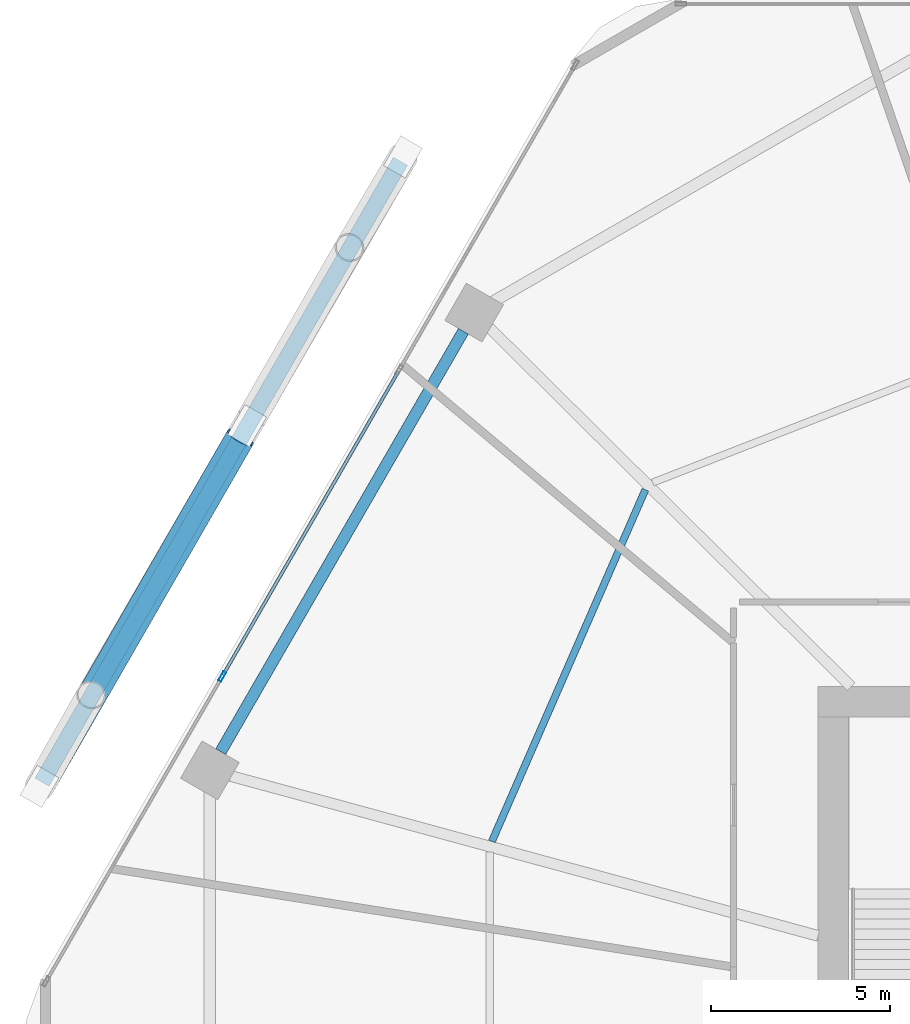
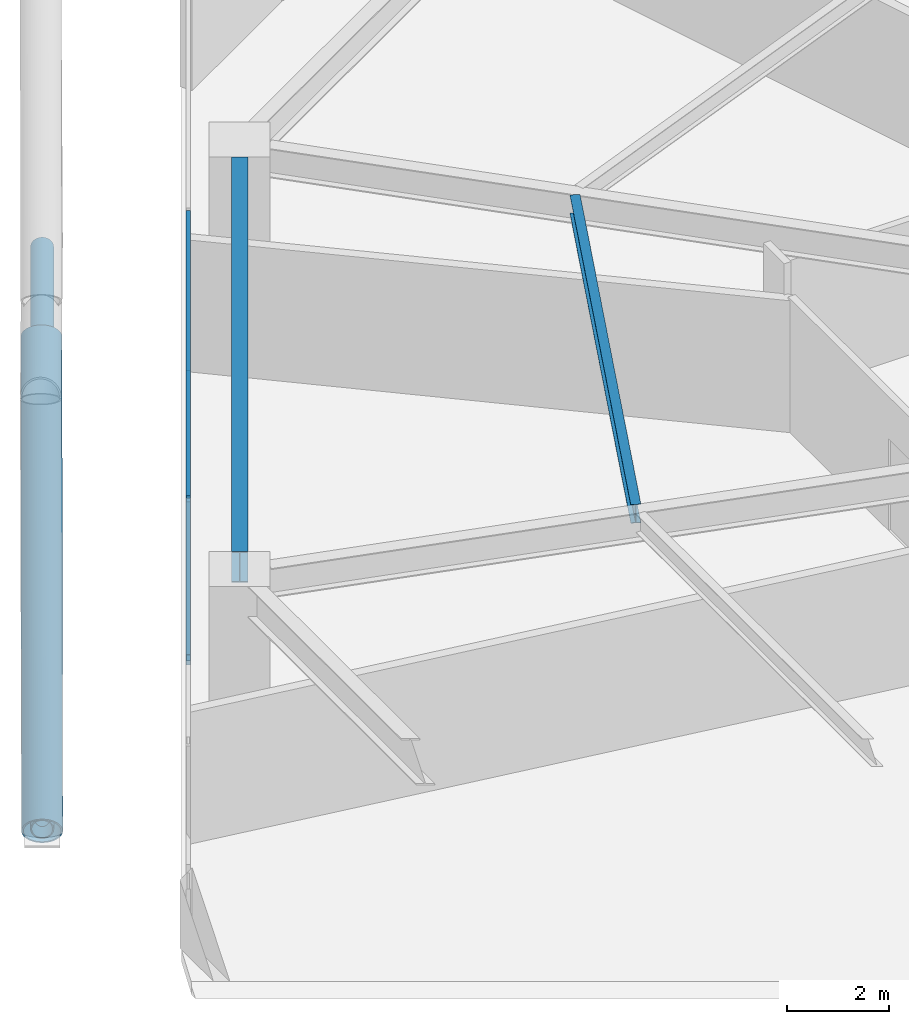
# One storey, part 14 of 29: 5 members, 2 beams, 1 element without a shape of its own.
"""IFC4 building model written with IfcOpenShell, lengths in metres."""

from ifc_helpers import new_model, si_unit, direction, frame, origin, origin_2d, place, context, subcontext, project, spatial, hollow_rectangle, hollow_circle, i_section, extrude, material, material_profile, profile_set, type_object, element, aggregate, save


model = new_model("IFC4")

# Units and contexts
model_context = context("Model", 3, precision=1e-05, world=origin(), true_north=direction((0.0, 1.0)))
body_context = subcontext(model_context, "Body", "Model", "MODEL_VIEW")
ifc_project = project(units=[si_unit("LENGTHUNIT", "METRE"), si_unit("AREAUNIT", "SQUARE_METRE"), si_unit("VOLUMEUNIT", "CUBIC_METRE"), si_unit("PLANEANGLEUNIT", "RADIAN"), si_unit("MASSUNIT", "GRAM", prefix="KILO")], contexts=[model_context])

# Site, building, storey
site_placement = place(None, origin())
site = spatial("IfcSite", under=ifc_project, at=site_placement, CompositionType="ELEMENT")
building_placement = place(site_placement, origin())
building = spatial("IfcBuilding", under=site, at=building_placement, Name="Zuhravey Tower", CompositionType="ELEMENT")
storey_placement = place(building_placement, frame((0.0, 0.0, 41.39990234375)))
storey = spatial("IfcBuildingStorey", under=building, at=storey_placement, Name="L10", CompositionType="ELEMENT", Elevation=41.39990234375)

# Curtain wall, members
ifc_material_1 = material(Name="Thermally broken anodised aluminium", Category="aluminium")
curtain_wall_type = type_object("IfcCurtainWallType", Name="School Low-E Unitised Curtain Wall CW1", PredefinedType="NOTDEFINED", material=ifc_material_1)
curtain_wall_placement = place(storey_placement, origin())
curtain_wall = element("IfcCurtainWall", 1, at=curtain_wall_placement, inside=storey, type_object=curtain_wall_type, Name="L10 CW1 CW-L10-F3-1", PredefinedType="NOTDEFINED")
ifc_material_2 = material(Name="Anodised aluminium", Category="aluminium")
ifc_material_profile_1 = material_profile(ifc_material_2, hollow_rectangle(XDim=0.090087890625, YDim=0.284912109375, WallThickness=0.0048828125, at=origin_2d()), Name="ALU-RHS-90x285x5")
ifc_profile_set_1 = profile_set([ifc_material_profile_1], Name="Anodised aluminium")
member_type_1 = type_object("IfcMemberType", Name="Curtain-Wall Mullion 90x180", PredefinedType="MULLION", material=ifc_profile_set_1)
member_1_placement = place(storey_placement, frame((8.45458984375, 42.20703125, 0.0), z_axis=(0.0, 0.0, 1.0), x_axis=(-0.86602552265, 0.499999794119, 0.0)))
member_1 = element("IfcMember", 2, at=member_1_placement, type_object=member_type_1, Name="CW1 mullion 2", PredefinedType="MULLION", context=body_context, shape_type="SweptSolid", body=[
    extrude(hollow_rectangle(XDim=0.090087890625, YDim=0.284912109375, WallThickness=0.0048828125, at=origin_2d()), origin(), (0.0, 0.0, 1.0), 3.920166015625),
])
ifc_material_profile_2 = material_profile(ifc_material_2, hollow_rectangle(XDim=0.090087890625, YDim=0.14990234375, WallThickness=0.0048828125, at=origin_2d()), Name="ALU-RHS-90x150x5")
ifc_profile_set_2 = profile_set([ifc_material_profile_2], Name="Anodised aluminium")
member_type_2 = type_object("IfcMemberType", Name="Curtain-Wall Transom 90x150", PredefinedType="USERDEFINED", material=ifc_profile_set_2)
member_2_placement = place(storey_placement, frame((8.47705078125, 42.245849609375, 0.045166015625), z_axis=(0.499990498062, 0.866030889661, 0.0), x_axis=(-0.866030889661, 0.499990498062, 0.0)))
member_2 = element("IfcMember", 3, at=member_2_placement, type_object=member_type_2, Name="CW1 transom 2.1", ObjectType="TRANSOM", PredefinedType="USERDEFINED", context=body_context, shape_type="SweptSolid", body=[
    extrude(hollow_rectangle(XDim=0.090087890625, YDim=0.14990234375, WallThickness=0.0048828125, at=origin_2d()), origin(), (0.0, 0.0, 1.0), 9.776611328125),
])
member_3_placement = place(storey_placement, frame((8.47705078125, 42.245849609375, 3.875), z_axis=(0.499990498062, 0.866030889661, 0.0), x_axis=(-0.866030889661, 0.499990498062, 0.0)))
member_3 = element("IfcMember", 4, at=member_3_placement, type_object=member_type_2, Name="CW1 transom 2.2", ObjectType="TRANSOM", PredefinedType="USERDEFINED", context=body_context, shape_type="SweptSolid", body=[
    extrude(hollow_rectangle(XDim=0.090087890625, YDim=0.14990234375, WallThickness=0.0048828125, at=origin_2d()), origin(), (0.0, 0.0, 1.0), 9.776611328125),
])
aggregate(curtain_wall, [member_1, member_2, member_3])

# Members
ifc_material_3 = material(Name="Steel SM355", Category="steel")
ifc_material_profile_3 = material_profile(ifc_material_3, hollow_circle(Radius=0.228515625, WallThickness=0.02197265625, at=origin_2d()), Name="CHS-457.2x22")
ifc_profile_set_3 = profile_set([ifc_material_profile_3], Name="Steel SM355")
member_type_3 = type_object("IfcMemberType", Name="Exoskeleton Ring Tie CHS457x22", PredefinedType="CHORD", material=ifc_profile_set_3)
member_4_placement = place(storey_placement, frame((13.425537109375, 56.57666015625, -0.493896484375), z_axis=(-0.500001503855, -0.866024535532, 0.0), x_axis=(0.866024535532, -0.500001503855, 0.0)))
element("IfcMember", 5, at=member_4_placement, inside=storey, type_object=member_type_3, Name="L10 Exoskeleton Face 3 Tie EXR1", PredefinedType="CHORD", context=body_context, shape_type="SweptSolid", body=[
    extrude(hollow_circle(Radius=0.228515625, WallThickness=0.02197265625, at=origin_2d()), origin(), (0.0, 0.0, 1.0), 19.99365234375),
])
ifc_material_4 = material(Name="Steel SM460", Category="steel")
ifc_material_profile_4 = material_profile(ifc_material_4, hollow_circle(Radius=0.406494140625, WallThickness=0.035888671875, at=origin_2d()), Name="CHS-812.8x36")
ifc_profile_set_4 = profile_set([ifc_material_profile_4], Name="Steel SM460")
member_type_4 = type_object("IfcMemberType", Name="Exoskeleton Zone 1 Diagrid CHS813x36", PredefinedType="BRACE", material=ifc_profile_set_4)
member_5_placement = place(storey_placement, frame((3.38232421875, 39.181640625, -0.476806640625), z_axis=(0.469122167686, 0.81496177114, 0.340237715965), x_axis=(-0.866667631609, 0.49888597527, 0.0)))
element("IfcMember", 6, at=member_5_placement, inside=storey, type_object=member_type_4, Name="L10 Face 3 Split Diagrid Brace 3A", PredefinedType="BRACE", context=body_context, shape_type="SweptSolid", body=[
    extrude(hollow_circle(Radius=0.406494140625, WallThickness=0.035888671875, at=origin_2d()), origin(), (0.0, 0.0, 1.0), 11.89794921875),
])

# Beams
ifc_material_profile_5 = material_profile(ifc_material_3, i_section(OverallWidth=0.320068359375, OverallDepth=0.75, WebThickness=0.013916015625, FlangeThickness=0.02490234375, at=origin_2d()), Name="H-750x320x14x25")
ifc_profile_set_5 = profile_set([ifc_material_profile_5], Name="Steel SM355")
beam_type_1 = type_object("IfcBeamType", Name="Perimeter Ring Beam H750x320", PredefinedType="BEAM", material=ifc_profile_set_5)
beam_1_placement = place(storey_placement, frame((15.179443359375, 51.834716796875, 3.545166015625), z_axis=(-0.499999877243, -0.866025474658, 0.0), x_axis=(0.866025474658, -0.499999877243, 0.0)))
element("IfcBeam", 7, at=beam_1_placement, inside=storey, type_object=beam_type_1, Name="L10 PB1 BM-L10-PB-05", PredefinedType="BEAM", context=body_context, shape_type="SweptSolid", body=[
    extrude(i_section(OverallWidth=0.320068359375, OverallDepth=0.75, WebThickness=0.013916015625, FlangeThickness=0.02490234375, at=origin_2d()), origin(), (0.0, 0.0, 1.0), 13.5341796875),
])
ifc_material_profile_6 = material_profile(ifc_material_3, i_section(OverallWidth=0.199951171875, OverallDepth=0.449951171875, WebThickness=0.009033203125, FlangeThickness=0.013916015625, at=origin_2d()), Name="H-450x200x9x14")
ifc_profile_set_6 = profile_set([ifc_material_profile_6], Name="Steel SM355")
beam_type_2 = type_object("IfcBeamType", Name="Secondary Floor Joist H450x200", PredefinedType="JOIST", material=ifc_profile_set_6)
beam_2_placement = place(storey_placement, frame((20.2548828125, 47.41845703125, 3.695068359375), z_axis=(-0.399923551578, -0.916548500022, 0.0), x_axis=(0.916548500022, -0.399923551578, 0.0)))
element("IfcBeam", 8, at=beam_2_placement, inside=storey, type_object=beam_type_2, Name="L10 SJ1 BM-L10-SJ-05-1", PredefinedType="JOIST", context=body_context, shape_type="SweptSolid", body=[
    extrude(i_section(OverallWidth=0.199951171875, OverallDepth=0.449951171875, WebThickness=0.009033203125, FlangeThickness=0.013916015625, at=origin_2d()), origin(), (0.0, 0.0, 1.0), 10.70263671875),
])

save(model, "model.ifc")
